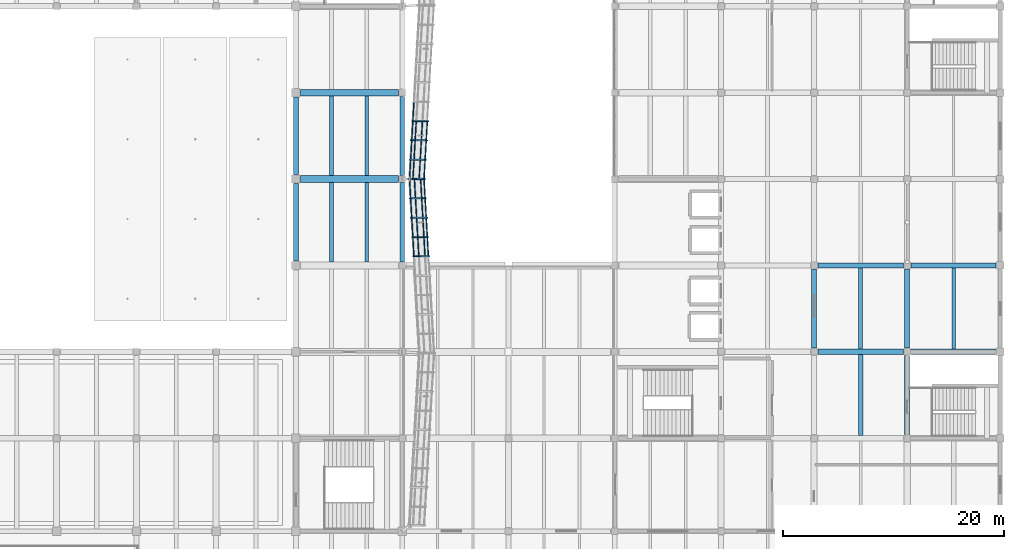
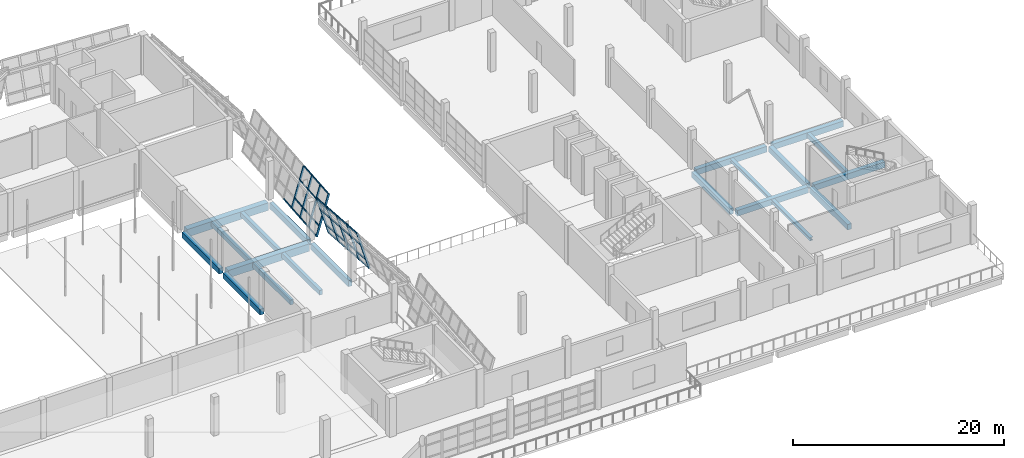
# One storey, part 20 of 71: 38 members, 20 beams, 2 elements without a shape of their own.
"""IFC4 building model written with IfcOpenShell, lengths in metres."""

import ifcopenshell
import ifcopenshell.guid

model = None  # the IFC model being written
_history = None  # IfcOwnerHistory: only IFC2X3 demands one
_inside = {}  # id of a spatial element -> (the spatial element, [elements in it])
_under = {}  # id of a project, library or spatial element -> (it, [spatial elements below it])
_declared = {}  # id of a project -> (the project, [libraries it declares])
_typed = {}  # id of a type object -> (the type object, [elements of that type])
_made_of = {}  # id of a material, layer set ... -> (it, [elements and type objects made of it])


def new_model(schema):
    """Start an empty IFC model of exactly this schema.

    Asked for "IFC4X3", IfcOpenShell would pick the latest addendum, in which some entities
    have other attributes; the version numbers below select the first issue.
    IFC2X3 requires an IfcOwnerHistory on every rooted entity: one is made here for all.
    """
    global model, _history
    if schema == "IFC4X3":
        model = ifcopenshell.file(schema_version=(4, 3, 0, 0))
    else:
        model = ifcopenshell.file(schema=schema)
    _inside.clear()
    _under.clear()
    _declared.clear()
    _typed.clear()
    _made_of.clear()
    _history = None
    if model.schema == "IFC2X3":
        org = make("IfcOrganization", Name="unknown")
        user = make(
            "IfcPersonAndOrganization",
            ThePerson=make("IfcPerson", FamilyName="unknown"),
            TheOrganization=org,
        )
        app = make(
            "IfcApplication",
            ApplicationDeveloper=org,
            Version="unknown",
            ApplicationFullName="unknown",
            ApplicationIdentifier="unknown",
        )
        _history = make(
            "IfcOwnerHistory",
            OwningUser=user,
            OwningApplication=app,
            ChangeAction="ADDED",
            CreationDate=0,
        )
    return model


def make(cls, **values):
    """One entity of the class cls with the attributes given. An attribute that is None is left unset."""
    return model.create_entity(
        cls, **{name: value for name, value in values.items() if value is not None}
    )


def rooted(cls, **values):
    """An entity with a GlobalId (a new one), such as an element, a storey or a relation."""
    return make(cls, GlobalId=ifcopenshell.guid.new(), OwnerHistory=_history, **values)


def si_unit(unit_type, name, prefix=None):
    """IfcSIUnit, for example si_unit("LENGTHUNIT", "METRE", prefix="MILLI")."""
    return make("IfcSIUnit", UnitType=unit_type, Prefix=prefix, Name=name)


def assignment(units):
    """IfcUnitAssignment: the units of a project."""
    return None if units is None else make("IfcUnitAssignment", Units=units)


def point(xyz):
    """IfcCartesianPoint."""
    return None if xyz is None else make("IfcCartesianPoint", Coordinates=xyz)


def direction(xyz):
    """IfcDirection."""
    return None if xyz is None else make("IfcDirection", DirectionRatios=xyz)


def frame(location, z_axis=None, x_axis=None):
    """IfcAxis2Placement3D, a coordinate frame: its origin and axes. An axis left out is left unset."""
    return make(
        "IfcAxis2Placement3D",
        Location=point(location),
        Axis=direction(z_axis),
        RefDirection=direction(x_axis),
    )


def frame_2d(location, x_axis=None):
    """IfcAxis2Placement2D, a coordinate frame in the plane: its origin and x axis."""
    return make(
        "IfcAxis2Placement2D", Location=point(location), RefDirection=direction(x_axis)
    )


def origin():
    """The frame at (0, 0, 0) with its axes left unset."""
    return frame((0.0, 0.0, 0.0))


def origin_2d():
    """The frame at (0, 0) in the plane with its x axis left unset."""
    return frame_2d((0.0, 0.0))


def place(relative_to, where):
    """IfcLocalPlacement: puts the frame where relative to a parent placement (None: the world)."""
    return make(
        "IfcLocalPlacement", PlacementRelTo=relative_to, RelativePlacement=where
    )


def context(
    kind, dimensions, precision=None, world=None, true_north=None, identifier=None
):
    """IfcGeometricRepresentationContext, for example the 3D "Model" context."""
    return make(
        "IfcGeometricRepresentationContext",
        ContextIdentifier=identifier,
        ContextType=kind,
        CoordinateSpaceDimension=dimensions,
        Precision=precision,
        WorldCoordinateSystem=world,
        TrueNorth=true_north,
    )


def subcontext(parent, identifier, kind, view, scale=None):
    """IfcGeometricRepresentationSubContext, for example "Body" below "Model"."""
    return make(
        "IfcGeometricRepresentationSubContext",
        ContextIdentifier=identifier,
        ContextType=kind,
        ParentContext=parent,
        TargetScale=scale,
        TargetView=view,
    )


def project(units=None, contexts=None):
    """IfcProject with its units and contexts."""
    return rooted(
        "IfcProject",
        Name="project",
        RepresentationContexts=contexts,
        UnitsInContext=assignment(units),
    )


def spatial(cls, under=None, at=None, **own):
    """A site, building, storey or space (cls), placed at a placement, below another one or the project."""
    s = rooted(cls, ObjectPlacement=at, **own)
    if under is not None:
        _under.setdefault(under.id(), (under, []))[1].append(s)
    return s


def profile(cls, at=None, kind="AREA", **sizes):
    """A parametric profile (cls). Its sizes go by their IFC names, for example OverallWidth=200.0."""
    return make(cls, ProfileType=kind, Position=at, **sizes)


def rectangle(**sizes):
    """IfcRectangleProfileDef."""
    return profile("IfcRectangleProfileDef", **sizes)


def hollow_rectangle(**sizes):
    """IfcRectangleHollowProfileDef."""
    return profile("IfcRectangleHollowProfileDef", **sizes)


def i_section(**sizes):
    """IfcIShapeProfileDef."""
    return profile("IfcIShapeProfileDef", **sizes)


def extrude(swept, where, along, depth):
    """IfcExtrudedAreaSolid: the profile swept, set in the frame where, extruded along a direction by depth."""
    return make(
        "IfcExtrudedAreaSolid",
        SweptArea=swept,
        Position=where,
        ExtrudedDirection=direction(along),
        Depth=depth,
    )


def shape(context_of_items, identifier, shape_type, items):
    """IfcShapeRepresentation: the items that make up one representation, for example the "Body"."""
    return make(
        "IfcShapeRepresentation",
        ContextOfItems=context_of_items,
        RepresentationIdentifier=identifier,
        RepresentationType=shape_type,
        Items=items,
    )


def material(Name=None, Category=None):
    """IfcMaterial."""
    return make("IfcMaterial", Name=Name, Category=Category)


def material_profile(
    of_material, cross_section, Name=None, Category=None, Priority=None
):
    """IfcMaterialProfile: a cross section and its material."""
    return make(
        "IfcMaterialProfile",
        Name=Name,
        Material=of_material,
        Profile=cross_section,
        Priority=Priority,
        Category=Category,
    )


def profile_set(profiles, Name=None, composite=None):
    """IfcMaterialProfileSet."""
    return make(
        "IfcMaterialProfileSet",
        Name=Name,
        MaterialProfiles=profiles,
        CompositeProfile=composite,
    )


def made_of(thing, what):
    """Note that an element or type object is made of a material, layer set ...; save() writes the relation."""
    if what is not None:
        _made_of.setdefault(what.id(), (what, []))[1].append(thing)
    return thing


def type_object(cls, material=None, **own):
    """A type object (cls), such as IfcWallType, which elements share."""
    return made_of(rooted(cls, **own), material)


def element(
    cls,
    number,
    at=None,
    inside=None,
    cuts=None,
    type_object=None,
    material=None,
    context=None,
    identifier="Body",
    shape_type=None,
    held_by="IfcProductDefinitionShape",
    body=None,
    shapes=None,
    **own,
):
    """One element of the class cls, such as IfcWall. Its Tag is "e" and its number.

    at: its placement. inside: the storey or other place that contains it. cuts: it is an
    opening in that element (IfcRelVoidsElement). A single representation is given by context,
    identifier, shape_type and body (its items); several are given by shapes. held_by: the class
    of the entity that holds the representations. save() writes the other relations.
    """
    e = rooted(cls, Tag="e%d" % number, ObjectPlacement=at, **own)
    if body is not None:
        shapes = [shape(context, identifier, shape_type, body)]
    if shapes is not None:
        e.Representation = make(held_by, Representations=shapes)
    if inside is not None:
        _inside.setdefault(inside.id(), (inside, []))[1].append(e)
    if cuts is not None:
        rooted(
            "IfcRelVoidsElement", RelatingBuildingElement=cuts, RelatedOpeningElement=e
        )
    if type_object is not None:
        _typed.setdefault(type_object.id(), (type_object, []))[1].append(e)
    return made_of(e, material)


def aggregate(whole, parts):
    """IfcRelAggregates: a whole, such as a stair, and the parts it consists of."""
    return rooted("IfcRelAggregates", RelatingObject=whole, RelatedObjects=parts)


def save(model, path):
    """Write the relations noted so far, then the file.

    IfcRelAggregates (storeys below a building ...), IfcRelContainedInSpatialStructure (elements
    in a storey), IfcRelDefinesByType, IfcRelAssociatesMaterial and IfcRelDeclares: one each for
    every whole, place, type object, material and project.
    """
    for whole, parts in _under.values():
        aggregate(whole, parts)
    for where, things in _inside.values():
        rooted(
            "IfcRelContainedInSpatialStructure",
            RelatedElements=things,
            RelatingStructure=where,
        )
    for kind, things in _typed.values():
        rooted("IfcRelDefinesByType", RelatedObjects=things, RelatingType=kind)
    for what, things in _made_of.values():
        rooted("IfcRelAssociatesMaterial", RelatedObjects=things, RelatingMaterial=what)
    for by, libraries in _declared.values():
        rooted("IfcRelDeclares", RelatingContext=by, RelatedDefinitions=libraries)
    model.write(path)


model = new_model("IFC4")

# Units and contexts
model_context = context("Model", 3, precision=1e-05, world=origin(), true_north=direction((0.0, 1.0)))
body_context = subcontext(model_context, "Body", "Model", "MODEL_VIEW")
ifc_project = project(units=[si_unit("LENGTHUNIT", "METRE"), si_unit("AREAUNIT", "SQUARE_METRE"), si_unit("VOLUMEUNIT", "CUBIC_METRE"), si_unit("PLANEANGLEUNIT", "RADIAN"), si_unit("MASSUNIT", "GRAM", prefix="KILO")], contexts=[model_context])

# Site, building, storey
site_placement = place(None, origin())
site = spatial("IfcSite", under=ifc_project, at=site_placement, CompositionType="ELEMENT")
building_placement = place(site_placement, origin())
building = spatial("IfcBuilding", under=site, at=building_placement, Name="Pellamere Symphony Hall", CompositionType="ELEMENT")
storey_placement = place(building_placement, frame((0.0, 0.0, 15.0)))
storey = spatial("IfcBuildingStorey", under=building, at=storey_placement, Name="L03", CompositionType="ELEMENT", Elevation=15.0)

# Curtain wall, members
ifc_material_1 = material(Name="Thermally Broken Anodised Aluminium 6063-T6 Curtain Wall", Category="aluminium")
curtain_wall_type = type_object("IfcCurtainWallType", Name="Curtain Wall CW-01 (Tilted Faceted Crystal Low-Iron Curtain Wall)", PredefinedType="NOTDEFINED", material=ifc_material_1)
curtain_wall_1_placement = place(storey_placement, origin())
curtain_wall_1 = element("IfcCurtainWall", 1, at=curtain_wall_1_placement, inside=storey, type_object=curtain_wall_type, Name="Crystal Faceted Curtain Wall CW-CR07 (L03)", PredefinedType="NOTDEFINED")
ifc_material_2 = material(Name="Anodised Architectural Aluminium 6063-T6", Category="aluminium")
ifc_material_profile_1 = material_profile(ifc_material_2, hollow_rectangle(XDim=0.074951171875, YDim=0.219970703125, WallThickness=0.0048828125, at=origin_2d()), Name="ALU-M75X220X5")
ifc_profile_set_1 = profile_set([ifc_material_profile_1], Name="Anodised Architectural Aluminium 6063-T6")
member_type_1 = type_object("IfcMemberType", Name="Curtain Wall Mullion ML-01 ALU-M75X220X5", PredefinedType="MULLION", material=ifc_profile_set_1)
member_1_placement = place(storey_placement, frame((121.18310546875, 54.822265625, 0.0), z_axis=(-0.284024567884, 0.0, 0.95881700279), x_axis=(-0.054873944304, 0.99836096977, -0.016254976991)))
member_1 = element("IfcMember", 2, at=member_1_placement, type_object=member_type_1, Name="CW1-010 crystal mullion 6", PredefinedType="MULLION", context=body_context, shape_type="SweptSolid", body=[
    extrude(hollow_rectangle(XDim=0.074951171875, YDim=0.219970703125, WallThickness=0.0048828125, at=origin_2d()), origin(), (0.0, 0.0, 1.0), 4.693359375),
])
member_2_placement = place(storey_placement, frame((121.0830078125, 56.566650390625, 0.0), z_axis=(-0.284024567884, 0.0, 0.95881700279), x_axis=(-0.054873944304, 0.99836096977, -0.016254976991)))
member_2 = element("IfcMember", 3, at=member_2_placement, type_object=member_type_1, Name="CW1-010 crystal mullion 7", PredefinedType="MULLION", context=body_context, shape_type="SweptSolid", body=[
    extrude(hollow_rectangle(XDim=0.074951171875, YDim=0.219970703125, WallThickness=0.0048828125, at=origin_2d()), origin(), (0.0, 0.0, 1.0), 4.693359375),
])
member_3_placement = place(storey_placement, frame((120.98291015625, 58.31103515625, 0.0), z_axis=(-0.284024567884, 0.0, 0.95881700279), x_axis=(-0.054873944304, 0.99836096977, -0.016254976991)))
member_3 = element("IfcMember", 4, at=member_3_placement, type_object=member_type_1, Name="CW1-010 crystal mullion 8", PredefinedType="MULLION", context=body_context, shape_type="SweptSolid", body=[
    extrude(hollow_rectangle(XDim=0.074951171875, YDim=0.219970703125, WallThickness=0.0048828125, at=origin_2d()), origin(), (0.0, 0.0, 1.0), 4.693359375),
])
member_4_placement = place(storey_placement, frame((120.883056640625, 60.0556640625, 0.0), z_axis=(-0.284024567884, 0.0, 0.95881700279), x_axis=(-0.054873944304, 0.99836096977, -0.016254976991)))
member_4 = element("IfcMember", 5, at=member_4_placement, type_object=member_type_1, Name="CW1-010 crystal mullion 9", PredefinedType="MULLION", context=body_context, shape_type="SweptSolid", body=[
    extrude(hollow_rectangle(XDim=0.074951171875, YDim=0.219970703125, WallThickness=0.0048828125, at=origin_2d()), origin(), (0.0, 0.0, 1.0), 4.693359375),
])
member_5_placement = place(storey_placement, frame((120.78515625, 61.762451171875, 0.0), z_axis=(-0.284024567884, 0.0, 0.95881700279), x_axis=(-0.054873944304, 0.99836096977, -0.016254976991)))
member_5 = element("IfcMember", 6, at=member_5_placement, type_object=member_type_1, Name="CW1-010 crystal mullion 10", PredefinedType="MULLION", context=body_context, shape_type="SweptSolid", body=[
    extrude(hollow_rectangle(XDim=0.074951171875, YDim=0.219970703125, WallThickness=0.0048828125, at=origin_2d()), origin(), (0.0, 0.0, 1.0), 4.693359375),
])

curtain_wall_2_placement = place(storey_placement, origin())
curtain_wall_2 = element("IfcCurtainWall", 7, at=curtain_wall_2_placement, inside=storey, type_object=curtain_wall_type, Name="Crystal Faceted Curtain Wall CW-CR08 (L03)", PredefinedType="NOTDEFINED")
member_6_placement = place(storey_placement, frame((119.4521484375, 61.83740234375, 0.0), z_axis=(0.284024567884, 0.0, 0.95881700279), x_axis=(-0.054873944304, -0.99836096977, 0.016254976991)))
member_6 = element("IfcMember", 8, at=member_6_placement, type_object=member_type_1, Name="CW1-015 crystal mullion 1", PredefinedType="MULLION", context=body_context, shape_type="SweptSolid", body=[
    extrude(hollow_rectangle(XDim=0.074951171875, YDim=0.219970703125, WallThickness=0.0048828125, at=origin_2d()), origin(), (0.0, 0.0, 1.0), 4.693359375),
])
member_7_placement = place(storey_placement, frame((119.550048828125, 63.54443359375, 0.0), z_axis=(0.284024567884, 0.0, 0.95881700279), x_axis=(-0.054873944304, -0.99836096977, 0.016254976991)))
member_7 = element("IfcMember", 9, at=member_7_placement, type_object=member_type_1, Name="CW1-015 crystal mullion 2", PredefinedType="MULLION", context=body_context, shape_type="SweptSolid", body=[
    extrude(hollow_rectangle(XDim=0.074951171875, YDim=0.219970703125, WallThickness=0.0048828125, at=origin_2d()), origin(), (0.0, 0.0, 1.0), 4.693359375),
])
member_8_placement = place(storey_placement, frame((119.64990234375, 65.288818359375, 0.0), z_axis=(0.284024567884, 0.0, 0.95881700279), x_axis=(-0.054873944304, -0.99836096977, 0.016254976991)))
member_8 = element("IfcMember", 10, at=member_8_placement, type_object=member_type_1, Name="CW1-015 crystal mullion 3", PredefinedType="MULLION", context=body_context, shape_type="SweptSolid", body=[
    extrude(hollow_rectangle(XDim=0.074951171875, YDim=0.219970703125, WallThickness=0.0048828125, at=origin_2d()), origin(), (0.0, 0.0, 1.0), 4.693359375),
])
member_9_placement = place(storey_placement, frame((119.75, 67.033447265625, 0.0), z_axis=(0.284024567884, 0.0, 0.95881700279), x_axis=(-0.054873944304, -0.99836096977, 0.016254976991)))
member_9 = element("IfcMember", 11, at=member_9_placement, type_object=member_type_1, Name="CW1-015 crystal mullion 4", PredefinedType="MULLION", context=body_context, shape_type="SweptSolid", body=[
    extrude(hollow_rectangle(XDim=0.074951171875, YDim=0.219970703125, WallThickness=0.0048828125, at=origin_2d()), origin(), (0.0, 0.0, 1.0), 4.693359375),
])

# Member
ifc_material_profile_2 = material_profile(ifc_material_2, hollow_rectangle(XDim=0.074951171875, YDim=0.179931640625, WallThickness=0.0048828125, at=origin_2d()), Name="ALU-T75X180X5")
ifc_profile_set_2 = profile_set([ifc_material_profile_2], Name="Anodised Architectural Aluminium 6063-T6")
member_type_2 = type_object("IfcMemberType", Name="Curtain Wall Transom TR-01 ALU-T75X180X5", PredefinedType="USERDEFINED", material=ifc_profile_set_2)
member_10_placement = place(storey_placement, frame((121.170166015625, 54.859619140625, 0.035888671875), z_axis=(-0.057224396245, 0.998361341637, 0.0), x_axis=(-0.998361341637, -0.057224396245, 0.0)))
member_10 = element("IfcMember", 12, at=member_10_placement, type_object=member_type_2, Name="CW1-010 crystal transom 6.1", ObjectType="TRANSOM", PredefinedType="USERDEFINED", context=body_context, shape_type="SweptSolid", body=[
    extrude(hollow_rectangle(XDim=0.074951171875, YDim=0.179931640625, WallThickness=0.0048828125, at=origin_2d()), origin(), (0.0, 0.0, 1.0), 1.67236328125),
])

member_11_placement = place(storey_placement, frame((120.86083984375, 54.859619140625, 1.080078125), z_axis=(-0.057224396245, 0.998361341637, 0.0), x_axis=(-0.998361341637, -0.057224396245, 0.0)))
member_11 = element("IfcMember", 13, at=member_11_placement, type_object=member_type_2, Name="CW1-010 crystal transom 6.2", ObjectType="TRANSOM", PredefinedType="USERDEFINED", context=body_context, shape_type="SweptSolid", body=[
    extrude(hollow_rectangle(XDim=0.074951171875, YDim=0.179931640625, WallThickness=0.0048828125, at=origin_2d()), origin(), (0.0, 0.0, 1.0), 1.67236328125),
])

member_12_placement = place(storey_placement, frame((120.301025390625, 54.859619140625, 2.969970703125), z_axis=(-0.057224396245, 0.998361341637, 0.0), x_axis=(-0.998361341637, -0.057224396245, 0.0)))
member_12 = element("IfcMember", 14, at=member_12_placement, type_object=member_type_2, Name="CW1-010 crystal transom 6.3", ObjectType="TRANSOM", PredefinedType="USERDEFINED", context=body_context, shape_type="SweptSolid", body=[
    extrude(hollow_rectangle(XDim=0.074951171875, YDim=0.179931640625, WallThickness=0.0048828125, at=origin_2d()), origin(), (0.0, 0.0, 1.0), 1.67236328125),
])

member_13_placement = place(storey_placement, frame((119.8583984375, 54.859619140625, 4.464111328125), z_axis=(-0.057224396245, 0.998361341637, 0.0), x_axis=(-0.998361341637, -0.057224396245, 0.0)))
member_13 = element("IfcMember", 15, at=member_13_placement, type_object=member_type_2, Name="CW1-010 crystal transom 6.4", ObjectType="TRANSOM", PredefinedType="USERDEFINED", context=body_context, shape_type="SweptSolid", body=[
    extrude(hollow_rectangle(XDim=0.074951171875, YDim=0.179931640625, WallThickness=0.0048828125, at=origin_2d()), origin(), (0.0, 0.0, 1.0), 1.67236328125),
])

member_14_placement = place(storey_placement, frame((121.0703125, 56.60400390625, 0.035888671875), z_axis=(-0.057224396245, 0.998361341637, 0.0), x_axis=(-0.998361341637, -0.057224396245, 0.0)))
member_14 = element("IfcMember", 16, at=member_14_placement, type_object=member_type_2, Name="CW1-010 crystal transom 7.1", ObjectType="TRANSOM", PredefinedType="USERDEFINED", context=body_context, shape_type="SweptSolid", body=[
    extrude(hollow_rectangle(XDim=0.074951171875, YDim=0.179931640625, WallThickness=0.0048828125, at=origin_2d()), origin(), (0.0, 0.0, 1.0), 1.67236328125),
])

member_15_placement = place(storey_placement, frame((120.760986328125, 56.60400390625, 1.080078125), z_axis=(-0.057224396245, 0.998361341637, 0.0), x_axis=(-0.998361341637, -0.057224396245, 0.0)))
member_15 = element("IfcMember", 17, at=member_15_placement, type_object=member_type_2, Name="CW1-010 crystal transom 7.2", ObjectType="TRANSOM", PredefinedType="USERDEFINED", context=body_context, shape_type="SweptSolid", body=[
    extrude(hollow_rectangle(XDim=0.074951171875, YDim=0.179931640625, WallThickness=0.0048828125, at=origin_2d()), origin(), (0.0, 0.0, 1.0), 1.67236328125),
])

member_16_placement = place(storey_placement, frame((120.201171875, 56.60400390625, 2.969970703125), z_axis=(-0.057224396245, 0.998361341637, 0.0), x_axis=(-0.998361341637, -0.057224396245, 0.0)))
member_16 = element("IfcMember", 18, at=member_16_placement, type_object=member_type_2, Name="CW1-010 crystal transom 7.3", ObjectType="TRANSOM", PredefinedType="USERDEFINED", context=body_context, shape_type="SweptSolid", body=[
    extrude(hollow_rectangle(XDim=0.074951171875, YDim=0.179931640625, WallThickness=0.0048828125, at=origin_2d()), origin(), (0.0, 0.0, 1.0), 1.67236328125),
])

member_17_placement = place(storey_placement, frame((119.758544921875, 56.60400390625, 4.464111328125), z_axis=(-0.057224396245, 0.998361341637, 0.0), x_axis=(-0.998361341637, -0.057224396245, 0.0)))
member_17 = element("IfcMember", 19, at=member_17_placement, type_object=member_type_2, Name="CW1-010 crystal transom 7.4", ObjectType="TRANSOM", PredefinedType="USERDEFINED", context=body_context, shape_type="SweptSolid", body=[
    extrude(hollow_rectangle(XDim=0.074951171875, YDim=0.179931640625, WallThickness=0.0048828125, at=origin_2d()), origin(), (0.0, 0.0, 1.0), 1.67236328125),
])

member_18_placement = place(storey_placement, frame((120.97021484375, 58.3486328125, 0.035888671875), z_axis=(-0.057232737422, 0.998360863499, 0.0), x_axis=(-0.998360863499, -0.057232737422, 0.0)))
member_18 = element("IfcMember", 20, at=member_18_placement, type_object=member_type_2, Name="CW1-010 crystal transom 8.1", ObjectType="TRANSOM", PredefinedType="USERDEFINED", context=body_context, shape_type="SweptSolid", body=[
    extrude(hollow_rectangle(XDim=0.074951171875, YDim=0.179931640625, WallThickness=0.0048828125, at=origin_2d()), origin(), (0.0, 0.0, 1.0), 1.672119140625),
])

member_19_placement = place(storey_placement, frame((120.660888671875, 58.3486328125, 1.080078125), z_axis=(-0.057232737422, 0.998360863499, 0.0), x_axis=(-0.998360863499, -0.057232737422, 0.0)))
member_19 = element("IfcMember", 21, at=member_19_placement, type_object=member_type_2, Name="CW1-010 crystal transom 8.2", ObjectType="TRANSOM", PredefinedType="USERDEFINED", context=body_context, shape_type="SweptSolid", body=[
    extrude(hollow_rectangle(XDim=0.074951171875, YDim=0.179931640625, WallThickness=0.0048828125, at=origin_2d()), origin(), (0.0, 0.0, 1.0), 1.672119140625),
])

member_20_placement = place(storey_placement, frame((120.10107421875, 58.3486328125, 2.969970703125), z_axis=(-0.057232737422, 0.998360863499, 0.0), x_axis=(-0.998360863499, -0.057232737422, 0.0)))
member_20 = element("IfcMember", 22, at=member_20_placement, type_object=member_type_2, Name="CW1-010 crystal transom 8.3", ObjectType="TRANSOM", PredefinedType="USERDEFINED", context=body_context, shape_type="SweptSolid", body=[
    extrude(hollow_rectangle(XDim=0.074951171875, YDim=0.179931640625, WallThickness=0.0048828125, at=origin_2d()), origin(), (0.0, 0.0, 1.0), 1.672119140625),
])

member_21_placement = place(storey_placement, frame((119.658447265625, 58.3486328125, 4.464111328125), z_axis=(-0.057232737422, 0.998360863499, 0.0), x_axis=(-0.998360863499, -0.057232737422, 0.0)))
member_21 = element("IfcMember", 23, at=member_21_placement, type_object=member_type_2, Name="CW1-010 crystal transom 8.4", ObjectType="TRANSOM", PredefinedType="USERDEFINED", context=body_context, shape_type="SweptSolid", body=[
    extrude(hollow_rectangle(XDim=0.074951171875, YDim=0.179931640625, WallThickness=0.0048828125, at=origin_2d()), origin(), (0.0, 0.0, 1.0), 1.672119140625),
])

member_22_placement = place(storey_placement, frame((120.8701171875, 60.093017578125, 0.035888671875), z_axis=(-0.057198647566, 0.998362817175, 0.0), x_axis=(-0.998362817175, -0.057198647566, 0.0)))
member_22 = element("IfcMember", 24, at=member_22_placement, type_object=member_type_2, Name="CW1-010 crystal transom 9.1", ObjectType="TRANSOM", PredefinedType="USERDEFINED", context=body_context, shape_type="SweptSolid", body=[
    extrude(hollow_rectangle(XDim=0.074951171875, YDim=0.179931640625, WallThickness=0.0048828125, at=origin_2d()), origin(), (0.0, 0.0, 1.0), 1.634765625),
])

member_23_placement = place(storey_placement, frame((120.56103515625, 60.093017578125, 1.080078125), z_axis=(-0.057347500779, 0.998354277877, 0.0), x_axis=(-0.998354277877, -0.057347500779, 0.0)))
member_23 = element("IfcMember", 25, at=member_23_placement, type_object=member_type_2, Name="CW1-010 crystal transom 9.2", ObjectType="TRANSOM", PredefinedType="USERDEFINED", context=body_context, shape_type="SweptSolid", body=[
    extrude(hollow_rectangle(XDim=0.074951171875, YDim=0.179931640625, WallThickness=0.0048828125, at=origin_2d()), origin(), (0.0, 0.0, 1.0), 1.634765625),
])

member_24_placement = place(storey_placement, frame((120.0009765625, 60.093017578125, 2.969970703125), z_axis=(-0.057198647566, 0.998362817175, 0.0), x_axis=(-0.998362817175, -0.057198647566, 0.0)))
member_24 = element("IfcMember", 26, at=member_24_placement, type_object=member_type_2, Name="CW1-010 crystal transom 9.3", ObjectType="TRANSOM", PredefinedType="USERDEFINED", context=body_context, shape_type="SweptSolid", body=[
    extrude(hollow_rectangle(XDim=0.074951171875, YDim=0.179931640625, WallThickness=0.0048828125, at=origin_2d()), origin(), (0.0, 0.0, 1.0), 1.634765625),
])

member_25_placement = place(storey_placement, frame((119.55859375, 60.093017578125, 4.464111328125), z_axis=(-0.057347500779, 0.998354277877, 0.0), x_axis=(-0.998354277877, -0.057347500779, 0.0)))
member_25 = element("IfcMember", 27, at=member_25_placement, type_object=member_type_2, Name="CW1-010 crystal transom 9.4", ObjectType="TRANSOM", PredefinedType="USERDEFINED", context=body_context, shape_type="SweptSolid", body=[
    extrude(hollow_rectangle(XDim=0.074951171875, YDim=0.179931640625, WallThickness=0.0048828125, at=origin_2d()), origin(), (0.0, 0.0, 1.0), 1.634765625),
])

aggregate(curtain_wall_1, [member_1, member_2, member_3, member_4, member_5, member_10, member_11, member_12, member_13, member_14, member_15, member_16, member_17, member_18, member_19, member_20, member_21, member_22, member_23, member_24, member_25])

member_26_placement = place(storey_placement, frame((119.46484375, 61.874755859375, 0.035888671875), z_axis=(0.057338951729, 0.998354768915, 0.0), x_axis=(-0.998354768915, 0.057338951729, 0.0)))
member_26 = element("IfcMember", 28, at=member_26_placement, type_object=member_type_2, Name="CW1-015 crystal transom 1.1", ObjectType="TRANSOM", PredefinedType="USERDEFINED", context=body_context, shape_type="SweptSolid", body=[
    extrude(hollow_rectangle(XDim=0.074951171875, YDim=0.179931640625, WallThickness=0.0048828125, at=origin_2d()), origin(), (0.0, 0.0, 1.0), 1.635009765625),
])

member_27_placement = place(storey_placement, frame((119.774169921875, 61.874755859375, 1.080078125), z_axis=(0.057190120561, 0.998363305671, 0.0), x_axis=(-0.998363305671, 0.057190120561, 0.0)))
member_27 = element("IfcMember", 29, at=member_27_placement, type_object=member_type_2, Name="CW1-015 crystal transom 1.2", ObjectType="TRANSOM", PredefinedType="USERDEFINED", context=body_context, shape_type="SweptSolid", body=[
    extrude(hollow_rectangle(XDim=0.074951171875, YDim=0.179931640625, WallThickness=0.0048828125, at=origin_2d()), origin(), (0.0, 0.0, 1.0), 1.635009765625),
])

member_28_placement = place(storey_placement, frame((120.333984375, 61.874755859375, 2.969970703125), z_axis=(0.057338951729, 0.998354768915, 0.0), x_axis=(-0.998354768915, 0.057338951729, 0.0)))
member_28 = element("IfcMember", 30, at=member_28_placement, type_object=member_type_2, Name="CW1-015 crystal transom 1.3", ObjectType="TRANSOM", PredefinedType="USERDEFINED", context=body_context, shape_type="SweptSolid", body=[
    extrude(hollow_rectangle(XDim=0.074951171875, YDim=0.179931640625, WallThickness=0.0048828125, at=origin_2d()), origin(), (0.0, 0.0, 1.0), 1.635009765625),
])

member_29_placement = place(storey_placement, frame((120.776611328125, 61.874755859375, 4.464111328125), z_axis=(0.057190120561, 0.998363305671, 0.0), x_axis=(-0.998363305671, 0.057190120561, 0.0)))
member_29 = element("IfcMember", 31, at=member_29_placement, type_object=member_type_2, Name="CW1-015 crystal transom 1.4", ObjectType="TRANSOM", PredefinedType="USERDEFINED", context=body_context, shape_type="SweptSolid", body=[
    extrude(hollow_rectangle(XDim=0.074951171875, YDim=0.179931640625, WallThickness=0.0048828125, at=origin_2d()), origin(), (0.0, 0.0, 1.0), 1.635009765625),
])

member_30_placement = place(storey_placement, frame((119.562744140625, 63.581787109375, 0.035888671875), z_axis=(0.057224396245, 0.998361341637, 0.0), x_axis=(-0.998361341637, 0.057224396245, 0.0)))
member_30 = element("IfcMember", 32, at=member_30_placement, type_object=member_type_2, Name="CW1-015 crystal transom 2.1", ObjectType="TRANSOM", PredefinedType="USERDEFINED", context=body_context, shape_type="SweptSolid", body=[
    extrude(hollow_rectangle(XDim=0.074951171875, YDim=0.179931640625, WallThickness=0.0048828125, at=origin_2d()), origin(), (0.0, 0.0, 1.0), 1.67236328125),
])

member_31_placement = place(storey_placement, frame((119.8720703125, 63.581787109375, 1.080078125), z_axis=(0.057224396245, 0.998361341637, 0.0), x_axis=(-0.998361341637, 0.057224396245, 0.0)))
member_31 = element("IfcMember", 33, at=member_31_placement, type_object=member_type_2, Name="CW1-015 crystal transom 2.2", ObjectType="TRANSOM", PredefinedType="USERDEFINED", context=body_context, shape_type="SweptSolid", body=[
    extrude(hollow_rectangle(XDim=0.074951171875, YDim=0.179931640625, WallThickness=0.0048828125, at=origin_2d()), origin(), (0.0, 0.0, 1.0), 1.67236328125),
])

member_32_placement = place(storey_placement, frame((120.431884765625, 63.581787109375, 2.969970703125), z_axis=(0.057224396245, 0.998361341637, 0.0), x_axis=(-0.998361341637, 0.057224396245, 0.0)))
member_32 = element("IfcMember", 34, at=member_32_placement, type_object=member_type_2, Name="CW1-015 crystal transom 2.3", ObjectType="TRANSOM", PredefinedType="USERDEFINED", context=body_context, shape_type="SweptSolid", body=[
    extrude(hollow_rectangle(XDim=0.074951171875, YDim=0.179931640625, WallThickness=0.0048828125, at=origin_2d()), origin(), (0.0, 0.0, 1.0), 1.67236328125),
])

member_33_placement = place(storey_placement, frame((120.87451171875, 63.581787109375, 4.464111328125), z_axis=(0.057224396245, 0.998361341637, 0.0), x_axis=(-0.998361341637, 0.057224396245, 0.0)))
member_33 = element("IfcMember", 35, at=member_33_placement, type_object=member_type_2, Name="CW1-015 crystal transom 2.4", ObjectType="TRANSOM", PredefinedType="USERDEFINED", context=body_context, shape_type="SweptSolid", body=[
    extrude(hollow_rectangle(XDim=0.074951171875, YDim=0.179931640625, WallThickness=0.0048828125, at=origin_2d()), origin(), (0.0, 0.0, 1.0), 1.67236328125),
])

member_34_placement = place(storey_placement, frame((119.662841796875, 65.326416015625, 0.035888671875), z_axis=(0.057232737422, 0.998360863499, 0.0), x_axis=(-0.998360863499, 0.057232737422, 0.0)))
member_34 = element("IfcMember", 36, at=member_34_placement, type_object=member_type_2, Name="CW1-015 crystal transom 3.1", ObjectType="TRANSOM", PredefinedType="USERDEFINED", context=body_context, shape_type="SweptSolid", body=[
    extrude(hollow_rectangle(XDim=0.074951171875, YDim=0.179931640625, WallThickness=0.0048828125, at=origin_2d()), origin(), (0.0, 0.0, 1.0), 1.672119140625),
])

member_35_placement = place(storey_placement, frame((119.97216796875, 65.326416015625, 1.080078125), z_axis=(0.057232737422, 0.998360863499, 0.0), x_axis=(-0.998360863499, 0.057232737422, 0.0)))
member_35 = element("IfcMember", 37, at=member_35_placement, type_object=member_type_2, Name="CW1-015 crystal transom 3.2", ObjectType="TRANSOM", PredefinedType="USERDEFINED", context=body_context, shape_type="SweptSolid", body=[
    extrude(hollow_rectangle(XDim=0.074951171875, YDim=0.179931640625, WallThickness=0.0048828125, at=origin_2d()), origin(), (0.0, 0.0, 1.0), 1.672119140625),
])

member_36_placement = place(storey_placement, frame((120.531982421875, 65.326416015625, 2.969970703125), z_axis=(0.057232737422, 0.998360863499, 0.0), x_axis=(-0.998360863499, 0.057232737422, 0.0)))
member_36 = element("IfcMember", 38, at=member_36_placement, type_object=member_type_2, Name="CW1-015 crystal transom 3.3", ObjectType="TRANSOM", PredefinedType="USERDEFINED", context=body_context, shape_type="SweptSolid", body=[
    extrude(hollow_rectangle(XDim=0.074951171875, YDim=0.179931640625, WallThickness=0.0048828125, at=origin_2d()), origin(), (0.0, 0.0, 1.0), 1.672119140625),
])

member_37_placement = place(storey_placement, frame((120.974609375, 65.326416015625, 4.464111328125), z_axis=(0.057232737422, 0.998360863499, 0.0), x_axis=(-0.998360863499, 0.057232737422, 0.0)))
member_37 = element("IfcMember", 39, at=member_37_placement, type_object=member_type_2, Name="CW1-015 crystal transom 3.4", ObjectType="TRANSOM", PredefinedType="USERDEFINED", context=body_context, shape_type="SweptSolid", body=[
    extrude(hollow_rectangle(XDim=0.074951171875, YDim=0.179931640625, WallThickness=0.0048828125, at=origin_2d()), origin(), (0.0, 0.0, 1.0), 1.672119140625),
])

member_38_placement = place(storey_placement, frame((119.7626953125, 67.07080078125, 0.035888671875), z_axis=(0.057232737422, 0.998360863499, 0.0), x_axis=(-0.998360863499, 0.057232737422, 0.0)))
member_38 = element("IfcMember", 40, at=member_38_placement, type_object=member_type_2, Name="CW1-015 crystal transom 4.1", ObjectType="TRANSOM", PredefinedType="USERDEFINED", context=body_context, shape_type="SweptSolid", body=[
    extrude(hollow_rectangle(XDim=0.074951171875, YDim=0.179931640625, WallThickness=0.0048828125, at=origin_2d()), origin(), (0.0, 0.0, 1.0), 1.672119140625),
])

aggregate(curtain_wall_2, [member_6, member_7, member_8, member_9, member_26, member_27, member_28, member_29, member_30, member_31, member_32, member_33, member_34, member_35, member_36, member_37, member_38])

# Beams
ifc_material_3 = material(Name="Concrete 40 MPa", Category="concrete")
ifc_material_profile_3 = material_profile(ifc_material_3, rectangle(XDim=0.449951171875, YDim=0.64990234375, at=origin_2d()), Name="RC 450x650")
ifc_profile_set_3 = profile_set([ifc_material_profile_3], Name="Concrete 40 MPa")
beam_type_1 = type_object("IfcBeamType", Name="RC CB-08 450x650", PredefinedType="BEAM", material=ifc_profile_set_3)
for number, where, z_axis, x_axis, name in (
    (41, (109.199951171875, 54.39990234375, -0.5849609375), (0.0, 1.0, 0.0), (-1.0, 0.0, 0.0), "Girder CB-08-Y1653 (L03)"),
    (42, (109.199951171875, 62.199951171875, -0.5849609375), (0.0, 1.0, 0.0), (-1.0, 0.0, 0.0), "Girder CB-08-Y1654 (L03)"),
):
    element("IfcBeam", number, at=place(storey_placement, frame(where, z_axis=z_axis, x_axis=x_axis)), inside=storey, type_object=beam_type_1, Name=name, PredefinedType="BEAM", context=body_context, shape_type="SweptSolid", body=[
        extrude(rectangle(XDim=0.449951171875, YDim=0.64990234375, at=origin_2d()), origin(), (0.0, 0.0, 1.0), 7.0),
    ])
beam_1_placement = place(storey_placement, frame((156.0, 46.52490234375, -0.5849609375), z_axis=(0.0, 1.0, 0.0), x_axis=(-1.0, 0.0, 0.0)))
element("IfcBeam", 43, at=beam_1_placement, inside=storey, type_object=beam_type_1, Name="Girder CB-08-Y1691 (L03)", PredefinedType="BEAM", context=body_context, shape_type="SweptSolid", body=[
    extrude(rectangle(XDim=0.449951171875, YDim=0.64990234375, at=origin_2d()), origin(), (0.0, 0.0, 1.0), 7.150146484375),
])
beam_2_placement = place(storey_placement, frame((164.39990234375, 38.72509765625, -0.5849609375), z_axis=(0.0, 1.0, 0.0), x_axis=(-1.0, 0.0, 0.0)))
element("IfcBeam", 44, at=beam_2_placement, inside=storey, type_object=beam_type_1, Name="Girder CB-08-Y1699 (L03)", PredefinedType="BEAM", context=body_context, shape_type="SweptSolid", body=[
    extrude(rectangle(XDim=0.449951171875, YDim=0.64990234375, at=origin_2d()), origin(), (0.0, 0.0, 1.0), 7.14990234375),
])
beam_3_placement = place(storey_placement, frame((164.39990234375, 46.52490234375, -0.5849609375), z_axis=(0.0, 1.0, 0.0), x_axis=(-1.0, 0.0, 0.0)))
element("IfcBeam", 45, at=beam_3_placement, inside=storey, type_object=beam_type_1, Name="Girder CB-08-Y1700 (L03)", PredefinedType="BEAM", context=body_context, shape_type="SweptSolid", body=[
    extrude(rectangle(XDim=0.449951171875, YDim=0.64990234375, at=origin_2d()), origin(), (0.0, 0.0, 1.0), 7.150146484375),
])
ifc_material_4 = material(Name="Concrete 35 MPa", Category="concrete")
ifc_material_profile_4 = material_profile(ifc_material_4, rectangle(XDim=0.35009765625, YDim=0.550048828125, at=origin_2d()), Name="RC 350x550")
ifc_profile_set_4 = profile_set([ifc_material_profile_4], Name="Concrete 35 MPa")
beam_type_2 = type_object("IfcBeamType", Name="RC CB-10 350x550", PredefinedType="BEAM", material=ifc_profile_set_4)
for number, where, z_axis, x_axis, name in (
    (46, (112.39990234375, 54.31005859375, -0.550048828125), (0.0, 1.0, 0.0), (-1.0, 0.0, 0.0), "Secondary Floor Beam CB-10-A1407 (L03)"),
    (47, (115.60009765625, 54.31005859375, -0.550048828125), (0.0, 1.0, 0.0), (-1.0, 0.0, 0.0), "Secondary Floor Beam CB-10-B1407 (L03)"),
    (48, (112.39990234375, 62.110107421875, -0.550048828125), (0.0, 1.0, 0.0), (-1.0, 0.0, 0.0), "Secondary Floor Beam CB-10-A1408 (L03)"),
    (49, (115.60009765625, 62.110107421875, -0.550048828125), (0.0, 1.0, 0.0), (-1.0, 0.0, 0.0), "Secondary Floor Beam CB-10-B1408 (L03)"),
):
    element("IfcBeam", number, at=place(storey_placement, frame(where, z_axis=z_axis, x_axis=x_axis)), inside=storey, type_object=beam_type_2, Name=name, PredefinedType="BEAM", context=body_context, shape_type="SweptSolid", body=[
        extrude(rectangle(XDim=0.35009765625, YDim=0.550048828125, at=origin_2d()), origin(), (0.0, 0.0, 1.0), 7.179931640625),
    ])
ifc_material_profile_5 = material_profile(ifc_material_4, rectangle(XDim=0.35009765625, YDim=0.5, at=origin_2d()), Name="RC 350x500")
ifc_profile_set_5 = profile_set([ifc_material_profile_5], Name="Concrete 35 MPa")
beam_type_3 = type_object("IfcBeamType", Name="RC CB-11 350x500", PredefinedType="BEAM", material=ifc_profile_set_5)
beam_4_placement = place(storey_placement, frame((168.60009765625, 46.43994140625, -0.52490234375), z_axis=(0.0, 1.0, 0.0), x_axis=(-1.0, 0.0, 0.0)))
element("IfcBeam", 50, at=beam_4_placement, inside=storey, type_object=beam_type_3, Name="Secondary Floor Beam CB-11-M2006 (L03)", PredefinedType="BEAM", context=body_context, shape_type="SweptSolid", body=[
    extrude(rectangle(XDim=0.35009765625, YDim=0.5, at=origin_2d()), origin(), (0.0, 0.0, 1.0), 7.320068359375),
])
ifc_material_profile_6 = material_profile(ifc_material_3, rectangle(XDim=0.39990234375, YDim=0.699951171875, at=origin_2d()), Name="RC 400x700")
ifc_profile_set_6 = profile_set([ifc_material_profile_6], Name="Concrete 40 MPa")
beam_type_4 = type_object("IfcBeamType", Name="RC CB-13 400x700", PredefinedType="SPANDREL", material=ifc_profile_set_6)
beam_5_placement = place(storey_placement, frame((118.800048828125, 54.324951171875, -0.610107421875), z_axis=(0.0, 1.0, 0.0), x_axis=(-1.0, 0.0, 0.0)))
element("IfcBeam", 51, at=beam_5_placement, inside=storey, type_object=beam_type_4, Name="Girder CB-13-Y1662 (L03)", PredefinedType="SPANDREL", context=body_context, shape_type="SweptSolid", body=[
    extrude(rectangle(XDim=0.39990234375, YDim=0.699951171875, at=origin_2d()), origin(), (0.0, 0.0, 1.0), 7.150146484375),
])
beam_6_placement = place(storey_placement, frame((118.800048828125, 62.125, -0.610107421875), z_axis=(0.0, 1.0, 0.0), x_axis=(-1.0, 0.0, 0.0)))
element("IfcBeam", 52, at=beam_6_placement, inside=storey, type_object=beam_type_4, Name="Girder CB-13-Y1663 (L03)", PredefinedType="SPANDREL", context=body_context, shape_type="SweptSolid", body=[
    extrude(rectangle(XDim=0.39990234375, YDim=0.699951171875, at=origin_2d()), origin(), (0.0, 0.0, 1.0), 7.14990234375),
])
ifc_material_profile_7 = material_profile(ifc_material_3, rectangle(XDim=0.6201171875, YDim=0.8798828125, at=origin_2d()), Name="RC 620x880")
ifc_profile_set_7 = profile_set([ifc_material_profile_7], Name="Concrete 40 MPa")
beam_type_5 = type_object("IfcBeamType", Name="RC CB-17 620x880", PredefinedType="BEAM", material=ifc_profile_set_7)
for number, where, z_axis, x_axis, name in (
    (53, (109.60009765625, 61.800048828125, -0.699951171875), (1.0, 0.0, 0.0), (0.0, 1.0, 0.0), "Girder CB-17-X1560 (L03)"),
    (54, (109.60009765625, 69.60009765625, -0.699951171875), (1.0, 0.0, 0.0), (0.0, 1.0, 0.0), "Girder CB-17-X1566 (L03)"),
):
    element("IfcBeam", number, at=place(storey_placement, frame(where, z_axis=z_axis, x_axis=x_axis)), inside=storey, type_object=beam_type_5, Name=name, PredefinedType="BEAM", context=body_context, shape_type="SweptSolid", body=[
        extrude(rectangle(XDim=0.6201171875, YDim=0.8798828125, at=origin_2d()), origin(), (0.0, 0.0, 1.0), 8.875),
    ])
ifc_material_profile_8 = material_profile(ifc_material_3, rectangle(XDim=0.47998046875, YDim=0.679931640625, at=origin_2d()), Name="RC 480x680")
ifc_profile_set_8 = profile_set([ifc_material_profile_8], Name="Concrete 40 MPa")
beam_type_6 = type_object("IfcBeamType", Name="RC CB-19 480x680", PredefinedType="BEAM", material=ifc_profile_set_8)
beam_7_placement = place(storey_placement, frame((156.324951171875, 46.199951171875, -0.60009765625), z_axis=(1.0, 0.0, 0.0), x_axis=(0.0, 1.0, 0.0)))
element("IfcBeam", 55, at=beam_7_placement, inside=storey, type_object=beam_type_6, Name="Girder CB-19-X1549 (L03)", PredefinedType="BEAM", context=body_context, shape_type="SweptSolid", body=[
    extrude(rectangle(XDim=0.47998046875, YDim=0.679931640625, at=origin_2d()), origin(), (0.0, 0.0, 1.0), 7.75),
])
beam_8_placement = place(storey_placement, frame((164.72509765625, 46.199951171875, -0.60009765625), z_axis=(1.0, 0.0, 0.0), x_axis=(0.0, 1.0, 0.0)))
element("IfcBeam", 56, at=beam_8_placement, inside=storey, type_object=beam_type_6, Name="Girder CB-19-X1550 (L03)", PredefinedType="BEAM", context=body_context, shape_type="SweptSolid", body=[
    extrude(rectangle(XDim=0.47998046875, YDim=0.679931640625, at=origin_2d()), origin(), (0.0, 0.0, 1.0), 7.71484375),
])
beam_9_placement = place(storey_placement, frame((156.324951171875, 54.0, -0.60009765625), z_axis=(1.0, 0.0, 0.0), x_axis=(0.0, 1.0, 0.0)))
element("IfcBeam", 57, at=beam_9_placement, inside=storey, type_object=beam_type_6, Name="Girder CB-19-X1557 (L03)", PredefinedType="BEAM", context=body_context, shape_type="SweptSolid", body=[
    extrude(rectangle(XDim=0.47998046875, YDim=0.679931640625, at=origin_2d()), origin(), (0.0, 0.0, 1.0), 7.75),
])
beam_10_placement = place(storey_placement, frame((164.72509765625, 54.0, -0.60009765625), z_axis=(1.0, 0.0, 0.0), x_axis=(0.0, 1.0, 0.0)))
element("IfcBeam", 58, at=beam_10_placement, inside=storey, type_object=beam_type_6, Name="Girder CB-19-X1558 (L03)", PredefinedType="BEAM", context=body_context, shape_type="SweptSolid", body=[
    extrude(rectangle(XDim=0.47998046875, YDim=0.679931640625, at=origin_2d()), origin(), (0.0, 0.0, 1.0), 7.71484375),
])
ifc_material_5 = material(Name="Steel CSA G40.21 350W", Category="steel")
ifc_material_profile_9 = material_profile(ifc_material_5, i_section(OverallWidth=0.3740234375, OverallDepth=0.3720703125, WebThickness=0.016357421875, FlangeThickness=0.026123046875, at=origin_2d()), Name="W360X196")
ifc_profile_set_9 = profile_set([ifc_material_profile_9], Name="Steel CSA G40.21 350W")
beam_type_7 = type_object("IfcBeamType", Name="Steel Beam SB-27 W360X196", PredefinedType="BEAM", material=ifc_profile_set_9)
beam_11_placement = place(storey_placement, frame((160.199951171875, 38.639892578125, -0.4609375), z_axis=(0.0, 1.0, 0.0), x_axis=(-1.0, 0.0, 0.0)))
element("IfcBeam", 59, at=beam_11_placement, inside=storey, type_object=beam_type_7, Name="Secondary Floor Beam SB-27-M1905 (L03)", PredefinedType="BEAM", context=body_context, shape_type="SweptSolid", body=[
    extrude(i_section(OverallWidth=0.3740234375, OverallDepth=0.3720703125, WebThickness=0.016357421875, FlangeThickness=0.026123046875, at=origin_2d()), origin(), (0.0, 0.0, 1.0), 7.320068359375),
])
ifc_material_profile_10 = material_profile(ifc_material_5, i_section(OverallWidth=0.368896484375, OverallDepth=0.35595703125, WebThickness=0.01123046875, FlangeThickness=0.01806640625, at=origin_2d()), Name="W360X134")
ifc_profile_set_10 = profile_set([ifc_material_profile_10], Name="Steel CSA G40.21 350W")
beam_type_8 = type_object("IfcBeamType", Name="Steel Beam SB-28 W360X134", PredefinedType="BEAM", material=ifc_profile_set_10)
beam_12_placement = place(storey_placement, frame((160.199951171875, 46.43994140625, -0.452880859375), z_axis=(0.0, 1.0, 0.0), x_axis=(-1.0, 0.0, 0.0)))
element("IfcBeam", 60, at=beam_12_placement, inside=storey, type_object=beam_type_8, Name="Secondary Floor Beam SB-28-M1906 (L03)", PredefinedType="BEAM", context=body_context, shape_type="SweptSolid", body=[
    extrude(i_section(OverallWidth=0.368896484375, OverallDepth=0.35595703125, WebThickness=0.01123046875, FlangeThickness=0.01806640625, at=origin_2d()), origin(), (0.0, 0.0, 1.0), 7.320068359375),
])

save(model, "model.ifc")
